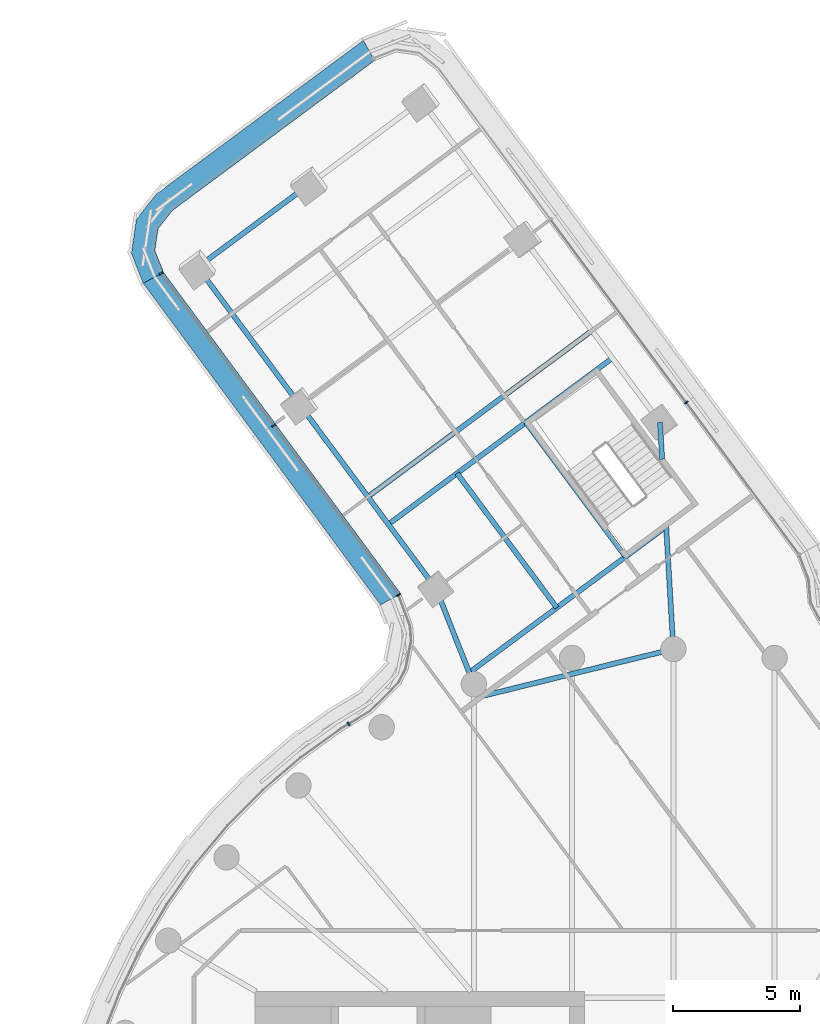
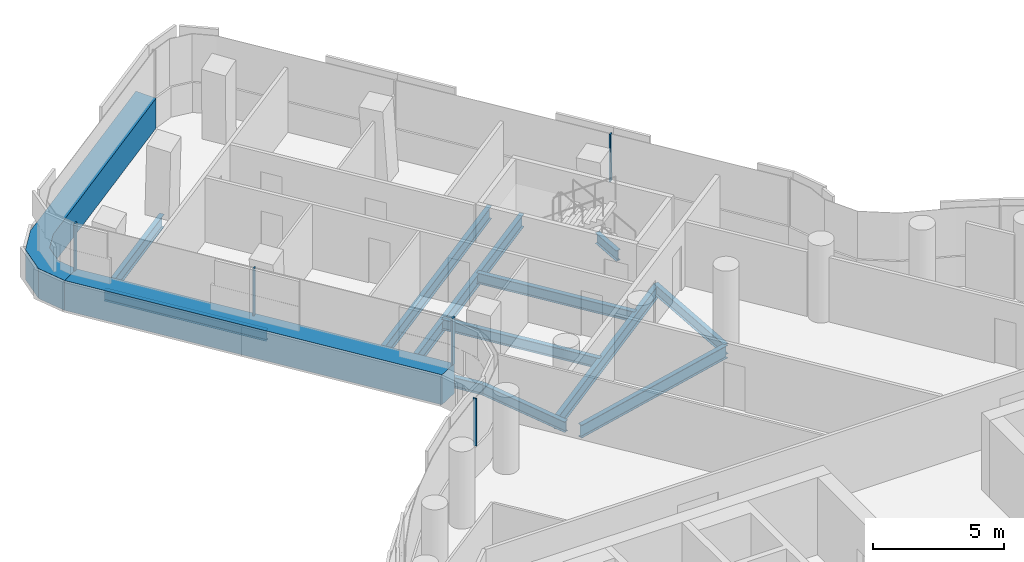
# One storey, part 14 of 32: 12 beams, 7 members, 4 elements without a shape of their own.
"""IFC4 building model written with IfcOpenShell, lengths in metres."""

from ifc_helpers import new_model, si_unit, direction, frame, origin, origin_2d, place, context, subcontext, project, spatial, polyline, rectangle, i_section, outline, extrude, material, layer, layer_set, material_profile, profile_set, type_object, element, aggregate, save


model = new_model("IFC4")

# Units and contexts
model_context = context("Model", 3, precision=1e-05, world=origin(), true_north=direction((0.0, 1.0)))
body_context = subcontext(model_context, "Body", "Model", "MODEL_VIEW")
ifc_project = project(units=[si_unit("LENGTHUNIT", "METRE"), si_unit("AREAUNIT", "SQUARE_METRE"), si_unit("VOLUMEUNIT", "CUBIC_METRE"), si_unit("PLANEANGLEUNIT", "RADIAN"), si_unit("MASSUNIT", "GRAM", prefix="KILO")], contexts=[model_context])

# Site, building, storey
site_placement = place(None, origin())
site = spatial("IfcSite", under=ifc_project, at=site_placement, CompositionType="ELEMENT")
building_placement = place(site_placement, origin())
building = spatial("IfcBuilding", under=site, at=building_placement, Name="Tamarind Cross Interchange Tower", CompositionType="ELEMENT")
storey_placement = place(building_placement, frame((0.0, 0.0, 166.75)))
storey = spatial("IfcBuildingStorey", under=building, at=storey_placement, Name="L41", CompositionType="ELEMENT", Elevation=166.75)

# Beams
ifc_material_1 = material(Name="Steel Q355B", Category="steel")
ifc_material_profile_1 = material_profile(ifc_material_1, i_section(OverallWidth=0.198974609375, OverallDepth=0.49609375, WebThickness=0.009033203125, FlangeThickness=0.013916015625, FilletRadius=0.012939453125, at=origin_2d()), Name="HN 496x199x9x14")
ifc_profile_set_1 = profile_set([ifc_material_profile_1], Name="Steel Q355B")
beam_type_1 = type_object("IfcBeamType", Name="Composite beam HN 496x199x9x14 Q355B", PredefinedType="BEAM", material=ifc_profile_set_1)
beam_1_placement = place(storey_placement, frame((-18.759765625, 38.057861328125, -0.387939453125), z_axis=(0.595764432018, -0.803159225523, 0.0), x_axis=(0.803159225523, 0.595764432018, 0.0)))
element("IfcBeam", 1, at=beam_1_placement, inside=storey, type_object=beam_type_1, Name="Beam N-edgeep2", PredefinedType="BEAM", context=body_context, shape_type="SweptSolid", body=[
    extrude(i_section(OverallWidth=0.198974609375, OverallDepth=0.49609375, WebThickness=0.009033203125, FlangeThickness=0.013916015625, FilletRadius=0.012939453125, at=origin_2d()), origin(), (0.0, 0.0, 1.0), 6.7734375),
])
beam_2_placement = place(storey_placement, frame((-14.724365234375, 32.61767578125, -0.387939453125), z_axis=(0.595785969078, -0.803143249396, 0.0), x_axis=(0.803143249396, 0.595785969078, 0.0)))
element("IfcBeam", 2, at=beam_2_placement, inside=storey, type_object=beam_type_1, Name="Beam N-edgeep3", PredefinedType="BEAM", context=body_context, shape_type="SweptSolid", body=[
    extrude(i_section(OverallWidth=0.198974609375, OverallDepth=0.49609375, WebThickness=0.009033203125, FlangeThickness=0.013916015625, FilletRadius=0.012939453125, at=origin_2d()), origin(), (0.0, 0.0, 1.0), 9.0),
])
beam_3_placement = place(storey_placement, frame((-0.527587890625, 31.94287109375, -0.387939453125), z_axis=(0.05881016784, -0.998269184218, 0.0), x_axis=(0.998269184218, 0.05881016784, 0.0)))
element("IfcBeam", 3, at=beam_3_placement, inside=storey, type_object=beam_type_1, Name="Beam N-linkemt0", PredefinedType="BEAM", context=body_context, shape_type="SweptSolid", body=[
    extrude(i_section(OverallWidth=0.198974609375, OverallDepth=0.49609375, WebThickness=0.009033203125, FlangeThickness=0.013916015625, FilletRadius=0.012939453125, at=origin_2d()), origin(), (0.0, 0.0, 1.0), 1.461181640625),
])
beam_4_placement = place(storey_placement, frame((-0.288330078125, 27.88720703125, -0.387939453125), z_axis=(0.05889449671, -0.99826421265, 0.0), x_axis=(0.99826421265, 0.05889449671, 0.0)))
element("IfcBeam", 4, at=beam_4_placement, inside=storey, type_object=beam_type_1, Name="Beam N-linkemt1", PredefinedType="BEAM", context=body_context, shape_type="SweptSolid", body=[
    extrude(i_section(OverallWidth=0.198974609375, OverallDepth=0.49609375, WebThickness=0.009033203125, FlangeThickness=0.013916015625, FilletRadius=0.012939453125, at=origin_2d()), origin(), (0.0, 0.0, 1.0), 4.895751953125),
])
beam_5_placement = place(storey_placement, frame((-9.3623046875, 25.389404296875, -0.387939453125), z_axis=(0.368269287783, -0.929719168177, 0.0), x_axis=(0.929719168177, 0.368269287783, 0.0)))
element("IfcBeam", 5, at=beam_5_placement, inside=storey, type_object=beam_type_1, Name="Beam N-linkep", PredefinedType="BEAM", context=body_context, shape_type="SweptSolid", body=[
    extrude(i_section(OverallWidth=0.198974609375, OverallDepth=0.49609375, WebThickness=0.009033203125, FlangeThickness=0.013916015625, FilletRadius=0.012939453125, at=origin_2d()), origin(), (0.0, 0.0, 1.0), 4.061767578125),
])
for number, where, z_axis, x_axis, name in (
    (6, (-1.885498046875, 26.639892578125, -0.387939453125), (-0.595777656859, 0.803149415481, 0.0), (-0.803149415481, -0.595777656859, 0.0), "Beam N-tr1"),
    (7, (-4.59619140625, 24.629150390625, -0.387939453125), (-0.595777656859, 0.803149415481, 0.0), (-0.803149415481, -0.595777656859, 0.0), "Beam N-stripp"),
):
    element("IfcBeam", number, at=place(storey_placement, frame(where, z_axis=z_axis, x_axis=x_axis)), inside=storey, type_object=beam_type_1, Name=name, PredefinedType="BEAM", context=body_context, shape_type="SweptSolid", body=[
        extrude(i_section(OverallWidth=0.198974609375, OverallDepth=0.49609375, WebThickness=0.009033203125, FlangeThickness=0.013916015625, FilletRadius=0.012939453125, at=origin_2d()), origin(), (0.0, 0.0, 1.0), 6.60009765625),
    ])
ifc_material_profile_2 = material_profile(ifc_material_1, i_section(OverallWidth=0.199951171875, OverallDepth=0.60009765625, WebThickness=0.010986328125, FlangeThickness=0.01708984375, FilletRadius=0.012939453125, at=origin_2d()), Name="HN 600x200x11x17")
ifc_profile_set_2 = profile_set([ifc_material_profile_2], Name="Steel Q355B")
beam_type_2 = type_object("IfcBeamType", Name="Composite beam HN 600x200x11x17 Q355B", PredefinedType="BEAM", material=ifc_profile_set_2)
beam_6_placement = place(storey_placement, frame((-14.342529296875, 41.334716796875, -0.43994140625), z_axis=(-0.803137083206, -0.595794281258, 0.0), x_axis=(0.595794281258, -0.803137083206, 0.0)))
element("IfcBeam", 8, at=beam_6_placement, inside=storey, type_object=beam_type_2, Name="Beam N-tip1", PredefinedType="BEAM", context=body_context, shape_type="SweptSolid", body=[
    extrude(i_section(OverallWidth=0.199951171875, OverallDepth=0.60009765625, WebThickness=0.010986328125, FlangeThickness=0.01708984375, FilletRadius=0.012939453125, at=origin_2d()), origin(), (0.0, 0.0, 1.0), 5.5),
])
beam_7_placement = place(storey_placement, frame((-0.284912109375, 27.827392578125, -0.43994140625), z_axis=(-0.80314754715, -0.59578017549, 0.0), x_axis=(0.59578017549, -0.80314754715, 0.0)))
element("IfcBeam", 9, at=beam_7_placement, inside=storey, type_object=beam_type_2, Name="Beam N-x268", PredefinedType="BEAM", context=body_context, shape_type="SweptSolid", body=[
    extrude(i_section(OverallWidth=0.199951171875, OverallDepth=0.60009765625, WebThickness=0.010986328125, FlangeThickness=0.01708984375, FilletRadius=0.012939453125, at=origin_2d()), origin(), (0.0, 0.0, 1.0), 9.664794921875),
])
beam_8_placement = place(storey_placement, frame((-2.404296875, 34.472900390625, -0.43994140625), z_axis=(-0.803144961463, -0.595783661136, 0.0), x_axis=(0.595783661136, -0.803144961463, 0.0)))
element("IfcBeam", 10, at=beam_8_placement, inside=storey, type_object=beam_type_2, Name="Beam N-x334", PredefinedType="BEAM", context=body_context, shape_type="SweptSolid", body=[
    extrude(i_section(OverallWidth=0.199951171875, OverallDepth=0.60009765625, WebThickness=0.010986328125, FlangeThickness=0.01708984375, FilletRadius=0.012939453125, at=origin_2d()), origin(), (0.0, 0.0, 1.0), 11.000244140625),
])
beam_9_placement = place(storey_placement, frame((0.0, 23.0, -0.43994140625), z_axis=(-0.971084149776, -0.238737458421, 0.0), x_axis=(0.238737458421, -0.971084149776, 0.0)))
element("IfcBeam", 11, at=beam_9_placement, inside=storey, type_object=beam_type_2, Name="Beam N-x258", PredefinedType="BEAM", context=body_context, shape_type="SweptSolid", body=[
    extrude(i_section(OverallWidth=0.199951171875, OverallDepth=0.60009765625, WebThickness=0.010986328125, FlangeThickness=0.01708984375, FilletRadius=0.012939453125, at=origin_2d()), origin(), (0.0, 0.0, 1.0), 7.74755859375),
])
beam_10_placement = place(storey_placement, frame((-3.20849609375, 35.55712890625, -0.43994140625), z_axis=(-0.803155581461, -0.595769344603, 0.0), x_axis=(0.595769344603, -0.803155581461, 0.0)))
element("IfcBeam", 12, at=beam_10_placement, inside=storey, type_object=beam_type_2, Name="Beam N-x348", PredefinedType="BEAM", context=body_context, shape_type="SweptSolid", body=[
    extrude(i_section(OverallWidth=0.199951171875, OverallDepth=0.60009765625, WebThickness=0.010986328125, FlangeThickness=0.01708984375, FilletRadius=0.012939453125, at=origin_2d()), origin(), (0.0, 0.0, 1.0), 11.0),
])

# Curtain wall, member
ifc_material_2 = material(Name="Aluminium 6063-T6", Category="aluminium")
ifc_layer = layer(ifc_material_2, 0.159912109375)
ifc_layer_set = layer_set([ifc_layer], Name="Aluminium 6063-T6")
curtain_wall_type = type_object("IfcCurtainWallType", Name="Office curtain wall, 9.0 m bays", PredefinedType="NOTDEFINED", material=ifc_layer_set)
curtain_wall_1_placement = place(storey_placement, origin())
curtain_wall_1 = element("IfcCurtainWall", 13, at=curtain_wall_1_placement, inside=storey, type_object=curtain_wall_type, Name="CWS-L41-04", PredefinedType="NOTDEFINED")
ifc_material_3 = material(Name="Aluminium and insulated spandrel panel", Category="aluminium")
member_type_1 = type_object("IfcMemberType", Name="Floor-edge blade transom", PredefinedType="USERDEFINED", material=ifc_material_3)
member_1_placement = place(storey_placement, origin())
member_1 = element("IfcMember", 14, at=member_1_placement, type_object=member_type_1, Name="CWT-L41-04", ObjectType="TRANSOM", PredefinedType="USERDEFINED", context=body_context, shape_type="SweptSolid", body=[
    extrude(outline(polyline([(-11.781005859375, 46.20751953125), (-19.7490234375, 40.296875), (-20.31787109375, 39.579833984375), (-20.4462890625, 38.71484375), (-20.109619140625, 37.863037109375), (-20.9033203125, 37.423095703125), (-21.371826171875, 38.608154296875), (-21.1728515625, 39.950439453125), (-20.38037109375, 40.94921875), (-12.221923828125, 47.0009765625), (-11.781005859375, 46.20751953125)])), origin(), (0.0, 0.0, 1.0), 1.39990234375),
])
aggregate(curtain_wall_1, [member_1])

curtain_wall_2_placement = place(storey_placement, origin())
curtain_wall_2 = element("IfcCurtainWall", 15, at=curtain_wall_2_placement, inside=storey, type_object=curtain_wall_type, Name="CWS-L41-05", PredefinedType="NOTDEFINED")
member_2_placement = place(storey_placement, origin())
member_2 = element("IfcMember", 16, at=member_2_placement, type_object=member_type_1, Name="CWT-L41-05", ObjectType="TRANSOM", PredefinedType="USERDEFINED", context=body_context, shape_type="SweptSolid", body=[
    extrude(outline(polyline([(-20.109619140625, 37.863037109375), (-10.748291015625, 25.17919921875), (-11.546875, 24.745361328125), (-20.9033203125, 37.423095703125), (-20.109619140625, 37.863037109375)])), origin(), (0.0, 0.0, 1.0), 1.39990234375),
])

curtain_wall_3_placement = place(storey_placement, origin())
curtain_wall_3 = element("IfcCurtainWall", 17, at=curtain_wall_3_placement, inside=storey, type_object=curtain_wall_type, Name="CWS-L41-03", PredefinedType="NOTDEFINED")
ifc_material_profile_3 = material_profile(ifc_material_2, rectangle(XDim=0.06005859375, YDim=0.159912109375, at=origin_2d()), Name="Mullion CW1")
ifc_profile_set_3 = profile_set([ifc_material_profile_3], Name="Aluminium 6063-T6")
member_type_2 = type_object("IfcMemberType", Name="Mullion CW1", PredefinedType="MULLION", material=ifc_profile_set_3)
member_3_placement = place(storey_placement, frame((0.510009765625, 32.72607421875, 1.39990234375), z_axis=(0.0, 0.0, 1.0), x_axis=(-0.595776404136, 0.803150344752, 0.0)))
member_3 = element("IfcMember", 18, at=member_3_placement, type_object=member_type_2, Name="CWM-L41-03-01", PredefinedType="MULLION", context=body_context, shape_type="SweptSolid", body=[
    extrude(rectangle(XDim=0.06005859375, YDim=0.159912109375, at=origin_2d()), origin(), (0.0, 0.0, 1.0), 2.210205078125),
])
aggregate(curtain_wall_3, [member_3])

# Member
member_4_placement = place(storey_placement, frame((-20.19775390625, 37.814208984375, 1.39990234375), z_axis=(0.0, 0.0, 1.0), x_axis=(0.484782974532, -0.874634476569, 0.0)))
member_4 = element("IfcMember", 19, at=member_4_placement, type_object=member_type_2, Name="CWM-L41-05-00", PredefinedType="MULLION", context=body_context, shape_type="SweptSolid", body=[
    extrude(rectangle(XDim=0.06005859375, YDim=0.159912109375, at=origin_2d()), origin(), (0.0, 0.0, 1.0), 2.210205078125),
])

member_5_placement = place(storey_placement, frame((-15.7666015625, 31.810302734375, 1.39990234375), z_axis=(0.0, 0.0, 1.0), x_axis=(0.593819308082, -0.804598427384, 0.0)))
member_5 = element("IfcMember", 20, at=member_5_placement, type_object=member_type_2, Name="CWM-L41-05-01", PredefinedType="MULLION", context=body_context, shape_type="SweptSolid", body=[
    extrude(rectangle(XDim=0.06005859375, YDim=0.159912109375, at=origin_2d()), origin(), (0.0, 0.0, 1.0), 2.210205078125),
])

aggregate(curtain_wall_2, [member_4, member_5, member_2])

# Curtain wall, members
curtain_wall_4_placement = place(storey_placement, origin())
curtain_wall_4 = element("IfcCurtainWall", 21, at=curtain_wall_4_placement, inside=storey, type_object=curtain_wall_type, Name="CWS-L41-06", PredefinedType="NOTDEFINED")
member_6_placement = place(storey_placement, frame((-10.837158203125, 25.131103515625, 1.39990234375), z_axis=(0.0, 0.0, 1.0), x_axis=(0.477415051542, -0.878677909453, 0.0)))
member_6 = element("IfcMember", 22, at=member_6_placement, type_object=member_type_2, Name="CWM-L41-06-00", PredefinedType="MULLION", context=body_context, shape_type="SweptSolid", body=[
    extrude(rectangle(XDim=0.06005859375, YDim=0.159912109375, at=origin_2d()), origin(), (0.0, 0.0, 1.0), 2.210205078125),
])
member_7_placement = place(storey_placement, frame((-12.803466796875, 20.04443359375, 1.39990234375), z_axis=(0.0, 0.0, 1.0), x_axis=(-0.855795607835, -0.517314099566, 0.0)))
member_7 = element("IfcMember", 23, at=member_7_placement, type_object=member_type_2, Name="CWM-L41-06-01", PredefinedType="MULLION", context=body_context, shape_type="SweptSolid", body=[
    extrude(rectangle(XDim=0.06005859375, YDim=0.159912109375, at=origin_2d()), origin(), (0.0, 0.0, 1.0), 2.210205078125),
])
aggregate(curtain_wall_4, [member_6, member_7])

save(model, "model.ifc")
